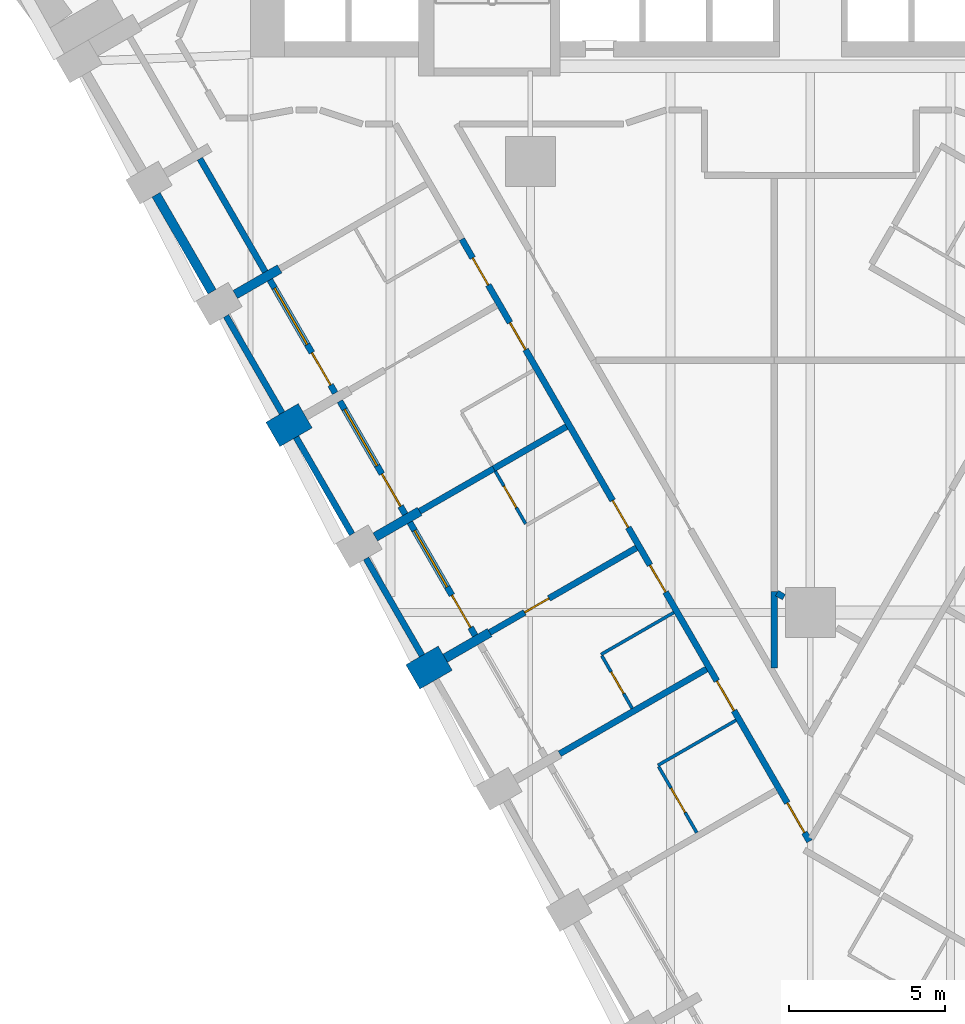
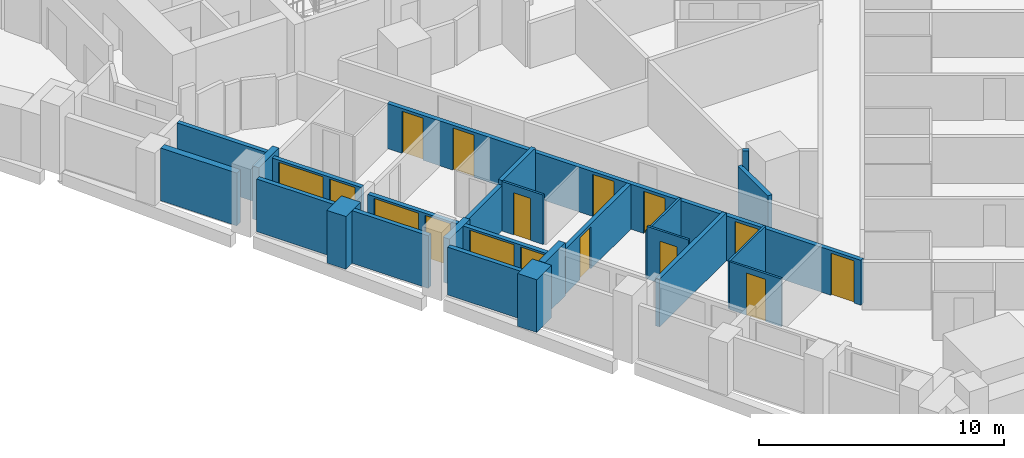
# One storey, part 3 of 12: 25 walls, 13 doors, 3 windows, 16 openings.
"""IFC4 building model written with IfcOpenShell, lengths in metres."""

from ifc_helpers import new_model, si_unit, direction, frame, frame_2d, origin, place, context, subcontext, project, spatial, rectangle, extrude, material, layer, layer_set, type_object, element, fill, save


model = new_model("IFC4")

# Units and contexts
model_context = context("Model", 3, precision=1e-05, world=origin(), true_north=direction((0.0, 1.0)))
body_context = subcontext(model_context, "Body", "Model", "MODEL_VIEW")
ifc_project = project(units=[si_unit("LENGTHUNIT", "METRE"), si_unit("AREAUNIT", "SQUARE_METRE"), si_unit("VOLUMEUNIT", "CUBIC_METRE"), si_unit("PLANEANGLEUNIT", "RADIAN"), si_unit("MASSUNIT", "GRAM", prefix="KILO")], contexts=[model_context])

# Site, building, storey
site_placement = place(None, origin())
site = spatial("IfcSite", under=ifc_project, at=site_placement, CompositionType="ELEMENT")
building_placement = place(site_placement, origin())
building = spatial("IfcBuilding", under=site, at=building_placement, Name="Calabash Gate Tower", CompositionType="ELEMENT")
storey_placement = place(building_placement, frame((0.0, 0.0, 76.60009765625)))
storey = spatial("IfcBuildingStorey", under=building, at=storey_placement, Name="L15", CompositionType="ELEMENT", Elevation=76.60009765625)

# Walls
ifc_material_1 = material(Name="Terracotta brick masonry, exposed face", Category="masonry")
ifc_layer_1 = layer(ifc_material_1, 1.199951171875)
ifc_layer_set_1 = layer_set([ifc_layer_1], Name="Brick end wall 1200")
wall_type_1 = type_object("IfcWallType", Name="Brick end wall 1200", PredefinedType="SOLIDWALL", material=ifc_layer_set_1)
wall_1_placement = place(storey_placement, frame((-17.27880859375, -6.277099609375, 0.0), z_axis=(0.0, 0.0, 1.0), x_axis=(0.866094119867, 0.499880961361, 0.0)))
element("IfcWall", 1, at=wall_1_placement, inside=storey, type_object=wall_type_1, Name="Brick pier S04 SW0.3", PredefinedType="SOLIDWALL", context=body_context, shape_type="SweptSolid", body=[
    extrude(rectangle(XDim=1.199951171875, YDim=0.89990234375, at=frame_2d((0.60009765625, 0.0))), origin(), (0.0, 0.0, 1.0), 2.6298828125),
])
wall_2_placement = place(storey_placement, frame((-12.77880859375, -14.071533203125, 0.0), z_axis=(0.0, 0.0, 1.0), x_axis=(0.866006032174, 0.500033551112, 0.0)))
element("IfcWall", 2, at=wall_2_placement, inside=storey, type_object=wall_type_1, Name="Brick pier S04 SW0.5", PredefinedType="SOLIDWALL", context=body_context, shape_type="SweptSolid", body=[
    extrude(rectangle(XDim=1.2001953125, YDim=0.89990234375, at=frame_2d((0.60009765625, 0.0))), origin(), (0.0, 0.0, 1.0), 2.6298828125),
])
ifc_material_2 = material(Name="Terracotta brick masonry, exposed face", Category="masonry")
ifc_layer_2 = layer(ifc_material_2, 0.300048828125)
ifc_layer_set_2 = layer_set([ifc_layer_2], Name="Brick infill panel wall 300")
wall_type_2 = type_object("IfcWallType", Name="Brick infill panel wall 300", PredefinedType="SOLIDWALL", material=ifc_layer_set_2)
wall_3_placement = place(storey_placement, frame((-21.0341796875, 1.42724609375, 0.0), z_axis=(0.0, 0.0, 1.0), x_axis=(0.500012057535, -0.866018442252, 0.0)))
element("IfcWall", 3, at=wall_3_placement, inside=storey, type_object=wall_type_2, Name="Brick panel S04 SW0.2", PredefinedType="SOLIDWALL", context=body_context, shape_type="SweptSolid", body=[
    extrude(rectangle(XDim=3.60009765625, YDim=0.300048828125, at=frame_2d((1.800048828125, 0.0))), origin(), (0.0, 0.0, 1.0), 2.6298828125),
])
ifc_material_3 = material(Name="Terracotta brick masonry, exposed face", Category="masonry")
ifc_layer_3 = layer(ifc_material_3, 0.300048828125)
ifc_layer_set_3 = layer_set([ifc_layer_3], Name="Brick loggia cheek wall 300")
wall_type_3 = type_object("IfcWallType", Name="Brick loggia cheek wall 300", PredefinedType="SOLIDWALL", material=ifc_layer_set_3)
wall_4_placement = place(storey_placement, frame((-18.489501953125, -1.780029296875, 0.0), z_axis=(0.0, 0.0, 1.0), x_axis=(0.866040211805, 0.499974350878, 0.0)))
element("IfcWall", 4, at=wall_4_placement, inside=storey, type_object=wall_type_3, Name="Loggia cheek S04 SW0.2", PredefinedType="SOLIDWALL", context=body_context, shape_type="SweptSolid", body=[
    extrude(rectangle(XDim=1.64990234375, YDim=0.300048828125, at=frame_2d((0.824951171875, 0.0))), origin(), (0.0, 0.0, 1.0), 2.64990234375),
])
wall_5_placement = place(storey_placement, frame((-12.560546875, -8.749267578125, 0.0), z_axis=(0.0, 0.0, 1.0), x_axis=(-0.866003217194, -0.500038426333, 0.0)))
element("IfcWall", 5, at=wall_5_placement, inside=storey, type_object=wall_type_3, Name="Loggia cheek S04 SW0.4", PredefinedType="SOLIDWALL", context=body_context, shape_type="SweptSolid", body=[
    extrude(rectangle(XDim=1.649658203125, YDim=0.300048828125, at=frame_2d((0.82470703125, 0.0))), origin(), (0.0, 0.0, 1.0), 2.24169921875),
])
wall_6_placement = place(storey_placement, frame((-11.739501953125, -13.471435546875, 0.0), z_axis=(0.0, 0.0, 1.0), x_axis=(0.866040211805, 0.499974350878, 0.0)))
element("IfcWall", 6, at=wall_6_placement, inside=storey, type_object=wall_type_3, Name="Loggia cheek S04 SW0.5", PredefinedType="SOLIDWALL", context=body_context, shape_type="SweptSolid", body=[
    extrude(rectangle(XDim=1.64990234375, YDim=0.300048828125, at=frame_2d((0.824951171875, 0.0))), origin(), (0.0, 0.0, 1.0), 2.64990234375),
])

# Wall, opening, door
ifc_material_4 = material(Name="Gypsum board on steel studs, mineral wool", Category="steel")
ifc_layer_4 = layer(ifc_material_4, 0.10009765625)
ifc_layer_set_4 = layer_set([ifc_layer_4], Name="Partition 100 gypsum board")
wall_type_4 = type_object("IfcWallType", Name="Partition 100 gypsum board", PredefinedType="PARTITIONING", material=ifc_layer_set_4)
wall_7_placement = place(storey_placement, frame((-4.877197265625, -16.957275390625, 0.0), z_axis=(0.0, 0.0, 1.0), x_axis=(0.500018594424, -0.866014668023, 0.0)))
wall_7 = element("IfcWall", 7, at=wall_7_placement, inside=storey, type_object=wall_type_4, Name="Partition", PredefinedType="PARTITIONING", context=body_context, shape_type="SweptSolid", body=[
    extrude(rectangle(XDim=2.4501953125, YDim=0.10009765625, at=frame_2d((1.22509765625, 0.0))), origin(), (0.0, 0.0, 1.0), 2.384033203125),
])
opening_1_placement = place(wall_7_placement, frame((0.800048828125, 0.0, 0.0)))
opening_1 = element("IfcOpeningElement", 8, at=opening_1_placement, cuts=wall_7, Name="Opening 15-17-012", PredefinedType="OPENING", context=body_context, shape_type="SweptSolid", body=[
    extrude(rectangle(XDim=0.89990234375, YDim=2.10009765625, at=frame_2d((0.449951171875, 1.050048828125))), frame((0.0, 0.06005859375, 0.0), z_axis=(0.0, -1.0, 0.0), x_axis=(1.0, 0.0, 0.0)), (0.0, 0.0, 1.0), 0.1201171875),
])
ifc_material_5 = material(Name="Painted timber door", Category="wood")
door_type_1 = type_object("IfcDoorType", Name="GD6 Accessible en-suite door 900x2100", OperationType="NOTDEFINED", PredefinedType="DOOR", material=ifc_material_5)
door_1_placement = place(opening_1_placement, origin())
door_1 = element("IfcDoor", 9, at=door_1_placement, inside=storey, type_object=door_type_1, Name="Accessible en-suite door", OperationType="SINGLE_SWING_LEFT", OverallHeight=2.10009765625, OverallWidth=0.89990234375, PredefinedType="DOOR", context=body_context, shape_type="SweptSolid", body=[
    extrude(rectangle(XDim=0.89990234375, YDim=2.10009765625, at=frame_2d((0.449951171875, 1.050048828125))), frame((0.0, 0.02490234375, 0.0), z_axis=(0.0, -1.0, 0.0), x_axis=(1.0, 0.0, 0.0)), (0.0, 0.0, 1.0), 0.050048828125),
])
fill(opening_1, door_1)

# Wall
wall_8_placement = place(storey_placement, frame((-4.902099609375, -16.9140625, 0.0), z_axis=(0.0, 0.0, 1.0), x_axis=(0.866293497561, 0.499535360193, 0.0)))
element("IfcWall", 10, at=wall_8_placement, inside=storey, type_object=wall_type_4, Name="Partition", PredefinedType="PARTITIONING", context=body_context, shape_type="SweptSolid", body=[
    extrude(rectangle(XDim=2.899658203125, YDim=0.10009765625, at=frame_2d((1.44970703125, 0.0))), origin(), (0.0, 0.0, 1.0), 2.384033203125),
])

# Wall, opening, door
wall_9_placement = place(storey_placement, frame((-6.7041015625, -13.393310546875, 0.0), z_axis=(0.0, 0.0, 1.0), x_axis=(0.500098182527, -0.865968710655, 0.0)))
wall_9 = element("IfcWall", 11, at=wall_9_placement, inside=storey, type_object=wall_type_4, Name="Partition", PredefinedType="PARTITIONING", context=body_context, shape_type="SweptSolid", body=[
    extrude(rectangle(XDim=1.94970703125, YDim=0.10009765625, at=frame_2d((0.974853515625, 0.0))), origin(), (0.0, 0.0, 1.0), 2.6279296875),
])
opening_2_placement = place(wall_9_placement, frame((0.60009765625, 0.0, 0.0)))
opening_2 = element("IfcOpeningElement", 12, at=opening_2_placement, cuts=wall_9, Name="Opening 15-17-009", PredefinedType="OPENING", context=body_context, shape_type="SweptSolid", body=[
    extrude(rectangle(XDim=0.800048828125, YDim=2.10009765625, at=frame_2d((0.39990234375, 1.050048828125))), frame((0.0, 0.06005859375, 0.0), z_axis=(0.0, -1.0, 0.0), x_axis=(1.0, 0.0, 0.0)), (0.0, 0.0, 1.0), 0.1201171875),
])
ifc_material_6 = material(Name="Painted timber door", Category="wood")
door_type_2 = type_object("IfcDoorType", Name="GD5 En-suite door 800x2100", OperationType="NOTDEFINED", PredefinedType="DOOR", material=ifc_material_6)
door_2_placement = place(opening_2_placement, origin())
door_2 = element("IfcDoor", 13, at=door_2_placement, inside=storey, type_object=door_type_2, Name="En-suite door", OperationType="SINGLE_SWING_RIGHT", OverallHeight=2.10009765625, OverallWidth=0.800048828125, PredefinedType="DOOR", context=body_context, shape_type="SweptSolid", body=[
    extrude(rectangle(XDim=0.800048828125, YDim=2.10009765625, at=frame_2d((0.39990234375, 1.050048828125))), frame((0.0, 0.02490234375, 0.0), z_axis=(0.0, -1.0, 0.0), x_axis=(1.0, 0.0, 0.0)), (0.0, 0.0, 1.0), 0.050048828125),
])
fill(opening_2, door_2)

# Wall
wall_10_placement = place(storey_placement, frame((-6.72900390625, -13.349853515625, 0.0), z_axis=(0.0, 0.0, 1.0), x_axis=(0.866339109022, 0.499456252518, 0.0)))
element("IfcWall", 14, at=wall_10_placement, inside=storey, type_object=wall_type_4, Name="Partition", PredefinedType="PARTITIONING", context=body_context, shape_type="SweptSolid", body=[
    extrude(rectangle(XDim=2.69970703125, YDim=0.10009765625, at=frame_2d((1.349853515625, 0.0))), origin(), (0.0, 0.0, 1.0), 2.384033203125),
])

# Wall, opening, door
wall_11_placement = place(storey_placement, frame((-10.12744140625, -7.460205078125, 0.0), z_axis=(0.0, 0.0, 1.0), x_axis=(0.499223742716, -0.866473112514, 0.0)))
wall_11 = element("IfcWall", 15, at=wall_11_placement, inside=storey, type_object=wall_type_4, Name="Partition", PredefinedType="PARTITIONING", context=body_context, shape_type="SweptSolid", body=[
    extrude(rectangle(XDim=1.94970703125, YDim=0.10009765625, at=frame_2d((0.974853515625, 0.0))), origin(), (0.0, 0.0, 1.0), 2.473388671875),
])
opening_3_placement = place(wall_11_placement, frame((0.5498046875, 0.0, 0.0)))
opening_3 = element("IfcOpeningElement", 16, at=opening_3_placement, cuts=wall_11, Name="Opening 15-17-007", PredefinedType="OPENING", context=body_context, shape_type="SweptSolid", body=[
    extrude(rectangle(XDim=0.800048828125, YDim=2.10009765625, at=frame_2d((0.39990234375, 1.050048828125))), frame((0.0, 0.06005859375, 0.0), z_axis=(0.0, -1.0, 0.0), x_axis=(1.0, 0.0, 0.0)), (0.0, 0.0, 1.0), 0.1201171875),
])
door_3_placement = place(opening_3_placement, origin())
door_3 = element("IfcDoor", 17, at=door_3_placement, inside=storey, type_object=door_type_2, Name="En-suite door", OperationType="SINGLE_SWING_LEFT", OverallHeight=2.10009765625, OverallWidth=0.800048828125, PredefinedType="DOOR", context=body_context, shape_type="SweptSolid", body=[
    extrude(rectangle(XDim=0.800048828125, YDim=2.10009765625, at=frame_2d((0.39990234375, 1.050048828125))), frame((0.0, 0.02490234375, 0.0), z_axis=(0.0, -1.0, 0.0), x_axis=(1.0, 0.0, 0.0)), (0.0, 0.0, 1.0), 0.050048828125),
])
fill(opening_3, door_3)

# Wall, openings, doors
ifc_material_7 = material(Name="Gypsum board on steel studs, mineral wool", Category="steel")
ifc_layer_5 = layer(ifc_material_7, 0.199951171875)
ifc_layer_set_5 = layer_set([ifc_layer_5], Name="Partition 200 gypsum board EI 60")
wall_type_5 = type_object("IfcWallType", Name="Partition 200 gypsum board EI 60", PredefinedType="PARTITIONING", material=ifc_layer_set_5)
wall_12_placement = place(storey_placement, frame((-11.205810546875, 0.0, 0.0), z_axis=(0.0, 0.0, 1.0), x_axis=(0.500002959525, -0.866023695095, 0.0)))
wall_12 = element("IfcWall", 18, at=wall_12_placement, inside=storey, type_object=wall_type_5, Name="Partition", PredefinedType="PARTITIONING", context=body_context, shape_type="SweptSolid", body=[
    extrude(rectangle(XDim=22.350830078125, YDim=0.199951171875, at=frame_2d((11.17529296875, 0.0))), origin(), (0.0, 0.0, 1.0), 2.24169921875),
])
opening_4_placement = place(wall_12_placement, frame((0.69970703125, 0.0, 0.0)))
opening_4 = element("IfcOpeningElement", 19, at=opening_4_placement, cuts=wall_12, Name="Opening 15-17-001", PredefinedType="OPENING", context=body_context, shape_type="SweptSolid", body=[
    extrude(rectangle(XDim=1.0, YDim=2.10009765625, at=frame_2d((0.5, 1.050048828125))), frame((0.0, 0.10986328125, 0.0), z_axis=(0.0, -1.0, 0.0), x_axis=(1.0, 0.0, 0.0)), (0.0, 0.0, 1.0), 0.219970703125),
])
opening_5_placement = place(wall_12_placement, frame((3.099609375, 0.0, 0.0)))
opening_5 = element("IfcOpeningElement", 20, at=opening_5_placement, cuts=wall_12, Name="Opening 15-17-003", PredefinedType="OPENING", context=body_context, shape_type="SweptSolid", body=[
    extrude(rectangle(XDim=1.0, YDim=2.10009765625, at=frame_2d((0.5, 1.050048828125))), frame((0.0, 0.10986328125, 0.0), z_axis=(0.0, -1.0, 0.0), x_axis=(1.0, 0.0, 0.0)), (0.0, 0.0, 1.0), 0.219970703125),
])
opening_6_placement = place(wall_12_placement, frame((9.69970703125, 0.0, 0.0)))
opening_6 = element("IfcOpeningElement", 21, at=opening_6_placement, cuts=wall_12, Name="Opening 15-17-006", PredefinedType="OPENING", context=body_context, shape_type="SweptSolid", body=[
    extrude(rectangle(XDim=1.0, YDim=2.10009765625, at=frame_2d((0.5, 1.050048828125))), frame((0.0, 0.10986328125, 0.0), z_axis=(0.0, -1.0, 0.0), x_axis=(1.0, 0.0, 0.0)), (0.0, 0.0, 1.0), 0.219970703125),
])
opening_7_placement = place(wall_12_placement, frame((12.099609375, 0.0, 0.0)))
opening_7 = element("IfcOpeningElement", 22, at=opening_7_placement, cuts=wall_12, Name="Opening 15-17-008", PredefinedType="OPENING", context=body_context, shape_type="SweptSolid", body=[
    extrude(rectangle(XDim=1.0, YDim=2.10009765625, at=frame_2d((0.5, 1.050048828125))), frame((0.0, 0.10986328125, 0.0), z_axis=(0.0, -1.0, 0.0), x_axis=(1.0, 0.0, 0.0)), (0.0, 0.0, 1.0), 0.219970703125),
])
opening_8_placement = place(wall_12_placement, frame((16.399658203125, 0.0, 0.0)))
opening_8 = element("IfcOpeningElement", 23, at=opening_8_placement, cuts=wall_12, Name="Opening 15-17-011", PredefinedType="OPENING", context=body_context, shape_type="SweptSolid", body=[
    extrude(rectangle(XDim=1.10009765625, YDim=2.10009765625, at=frame_2d((0.550048828125, 1.050048828125))), frame((0.0, 0.10986328125, 0.0), z_axis=(0.0, -1.0, 0.0), x_axis=(1.0, 0.0, 0.0)), (0.0, 0.0, 1.0), 0.219970703125),
])
opening_9_placement = place(wall_12_placement, frame((20.92529296875, 0.0, 0.0)))
opening_9 = element("IfcOpeningElement", 24, at=opening_9_placement, cuts=wall_12, Name="Opening 15-17-041", PredefinedType="OPENING", context=body_context, shape_type="SweptSolid", body=[
    extrude(rectangle(XDim=1.10009765625, YDim=2.10009765625, at=frame_2d((0.550048828125, 1.050048828125))), frame((0.0, 0.10986328125, 0.0), z_axis=(0.0, -1.0, 0.0), x_axis=(1.0, 0.0, 0.0)), (0.0, 0.0, 1.0), 0.219970703125),
])
ifc_material_8 = material(Name="Steel fire door set with fire-resisting glazing", Category="steel")
door_type_3 = type_object("IfcDoorType", Name="GD1 Guest room entrance door 1000x2100", OperationType="NOTDEFINED", PredefinedType="DOOR", material=ifc_material_8)
door_4_placement = place(opening_4_placement, origin())
door_4 = element("IfcDoor", 25, at=door_4_placement, inside=storey, type_object=door_type_3, Name="Guest room entrance door", OperationType="SINGLE_SWING_LEFT", OverallHeight=2.10009765625, OverallWidth=1.0, PredefinedType="DOOR", context=body_context, shape_type="SweptSolid", body=[
    extrude(rectangle(XDim=1.0, YDim=2.10009765625, at=frame_2d((0.5, 1.050048828125))), frame((0.0, 0.02490234375, 0.0), z_axis=(0.0, -1.0, 0.0), x_axis=(1.0, 0.0, 0.0)), (0.0, 0.0, 1.0), 0.050048828125),
])
fill(opening_4, door_4)
door_5_placement = place(opening_5_placement, origin())
door_5 = element("IfcDoor", 26, at=door_5_placement, inside=storey, type_object=door_type_3, Name="Guest room entrance door", OperationType="SINGLE_SWING_RIGHT", OverallHeight=2.10009765625, OverallWidth=1.0, PredefinedType="DOOR", context=body_context, shape_type="SweptSolid", body=[
    extrude(rectangle(XDim=1.0, YDim=2.10009765625, at=frame_2d((0.5, 1.050048828125))), frame((0.0, 0.02490234375, 0.0), z_axis=(0.0, -1.0, 0.0), x_axis=(1.0, 0.0, 0.0)), (0.0, 0.0, 1.0), 0.050048828125),
])
fill(opening_5, door_5)
door_6_placement = place(opening_6_placement, origin())
door_6 = element("IfcDoor", 27, at=door_6_placement, inside=storey, type_object=door_type_3, Name="Guest room entrance door", OperationType="SINGLE_SWING_LEFT", OverallHeight=2.10009765625, OverallWidth=1.0, PredefinedType="DOOR", context=body_context, shape_type="SweptSolid", body=[
    extrude(rectangle(XDim=1.0, YDim=2.10009765625, at=frame_2d((0.5, 1.050048828125))), frame((0.0, 0.02490234375, 0.0), z_axis=(0.0, -1.0, 0.0), x_axis=(1.0, 0.0, 0.0)), (0.0, 0.0, 1.0), 0.050048828125),
])
fill(opening_6, door_6)
door_7_placement = place(opening_7_placement, origin())
door_7 = element("IfcDoor", 28, at=door_7_placement, inside=storey, type_object=door_type_3, Name="Guest room entrance door", OperationType="SINGLE_SWING_RIGHT", OverallHeight=2.10009765625, OverallWidth=1.0, PredefinedType="DOOR", context=body_context, shape_type="SweptSolid", body=[
    extrude(rectangle(XDim=1.0, YDim=2.10009765625, at=frame_2d((0.5, 1.050048828125))), frame((0.0, 0.02490234375, 0.0), z_axis=(0.0, -1.0, 0.0), x_axis=(1.0, 0.0, 0.0)), (0.0, 0.0, 1.0), 0.050048828125),
])
fill(opening_7, door_7)
ifc_material_9 = material(Name="Steel fire door set with fire-resisting glazing", Category="steel")
door_type_4 = type_object("IfcDoorType", Name="GD2 Accessible guest room entrance door 1100x2100", OperationType="NOTDEFINED", PredefinedType="DOOR", material=ifc_material_9)
door_8_placement = place(opening_8_placement, origin())
door_8 = element("IfcDoor", 29, at=door_8_placement, inside=storey, type_object=door_type_4, Name="Accessible guest room entrance door", OperationType="SINGLE_SWING_RIGHT", OverallHeight=2.10009765625, OverallWidth=1.10009765625, PredefinedType="DOOR", context=body_context, shape_type="SweptSolid", body=[
    extrude(rectangle(XDim=1.10009765625, YDim=2.10009765625, at=frame_2d((0.550048828125, 1.050048828125))), frame((0.0, 0.02490234375, 0.0), z_axis=(0.0, -1.0, 0.0), x_axis=(1.0, 0.0, 0.0)), (0.0, 0.0, 1.0), 0.050048828125),
])
fill(opening_8, door_8)
ifc_material_10 = material(Name="Steel fire door set with fire-resisting glazing", Category="steel")
door_type_5 = type_object("IfcDoorType", Name="GD3 Suite entrance door 1100x2100", OperationType="NOTDEFINED", PredefinedType="DOOR", material=ifc_material_10)
door_9_placement = place(opening_9_placement, origin())
door_9 = element("IfcDoor", 30, at=door_9_placement, inside=storey, type_object=door_type_5, Name="Suite entrance door", OperationType="SINGLE_SWING_LEFT", OverallHeight=2.10009765625, OverallWidth=1.10009765625, PredefinedType="DOOR", context=body_context, shape_type="SweptSolid", body=[
    extrude(rectangle(XDim=1.10009765625, YDim=2.10009765625, at=frame_2d((0.550048828125, 1.050048828125))), frame((0.0, 0.02490234375, 0.0), z_axis=(0.0, -1.0, 0.0), x_axis=(1.0, 0.0, 0.0)), (0.0, 0.0, 1.0), 0.050048828125),
])
fill(opening_9, door_9)

# Walls
wall_13_placement = place(storey_placement, frame((-8.060546875, -16.543701171875, 0.0), z_axis=(0.0, 0.0, 1.0), x_axis=(0.866193043817, 0.499709526468, 0.0)))
element("IfcWall", 31, at=wall_13_placement, inside=storey, type_object=wall_type_5, Name="Partition", PredefinedType="PARTITIONING", context=body_context, shape_type="SweptSolid", body=[
    extrude(rectangle(XDim=5.449951171875, YDim=0.199951171875, at=frame_2d((2.72509765625, 0.0))), origin(), (0.0, 0.0, 1.0), 2.384033203125),
])
wall_14_placement = place(storey_placement, frame((-1.0751953125, -11.377685546875, 0.0), z_axis=(0.0, 0.0, 1.0), x_axis=(0.863710940107, -0.50398751169, 0.0)))
element("IfcWall", 32, at=wall_14_placement, inside=storey, type_object=wall_type_5, Name="Partition", PredefinedType="PARTITIONING", context=body_context, shape_type="SweptSolid", body=[
    extrude(rectangle(XDim=0.260498046875, YDim=0.199951171875, at=frame_2d((0.13037109375, 0.0))), origin(), (0.0, 0.0, 1.0), 3.22998046875),
])
wall_15_placement = place(storey_placement, frame((-1.1630859375, -13.78955078125, 0.0), z_axis=(0.0, 0.0, 1.0), x_axis=(0.000595415197, 0.99999982274, 0.0)))
element("IfcWall", 33, at=wall_15_placement, inside=storey, type_object=wall_type_5, Name="Partition", PredefinedType="PARTITIONING", context=body_context, shape_type="SweptSolid", body=[
    extrude(rectangle(XDim=2.460205078125, YDim=0.199951171875, at=frame_2d((1.22998046875, 0.0))), origin(), (0.0, 0.0, 1.0), 2.449951171875),
])

# Wall, opening, door
wall_16_placement = place(storey_placement, frame((-10.310546875, -12.646484375, 0.0), z_axis=(0.0, 0.0, 1.0), x_axis=(0.866193043817, 0.499709526468, 0.0)))
wall_16 = element("IfcWall", 34, at=wall_16_placement, inside=storey, type_object=wall_type_5, Name="Partition", PredefinedType="PARTITIONING", context=body_context, shape_type="SweptSolid", body=[
    extrude(rectangle(XDim=5.449951171875, YDim=0.199951171875, at=frame_2d((2.72509765625, 0.0))), origin(), (0.0, 0.0, 1.0), 2.24169921875),
])
opening_10_placement = place(wall_16_placement, frame((1.300048828125, 0.0, 0.0)))
opening_10 = element("IfcOpeningElement", 35, at=opening_10_placement, cuts=wall_16, Name="Opening 15-17-010", PredefinedType="OPENING", context=body_context, shape_type="SweptSolid", body=[
    extrude(rectangle(XDim=0.89990234375, YDim=2.10009765625, at=frame_2d((0.449951171875, 1.050048828125))), frame((0.0, 0.10986328125, 0.0), z_axis=(0.0, -1.0, 0.0), x_axis=(1.0, 0.0, 0.0)), (0.0, 0.0, 1.0), 0.219970703125),
])
ifc_material_11 = material(Name="Steel fire door set with fire-resisting glazing", Category="steel")
door_type_6 = type_object("IfcDoorType", Name="GD4 Connecting door 900x2100", OperationType="NOTDEFINED", PredefinedType="DOOR", material=ifc_material_11)
door_10_placement = place(opening_10_placement, origin())
door_10 = element("IfcDoor", 36, at=door_10_placement, inside=storey, type_object=door_type_6, Name="Connecting door", OperationType="SINGLE_SWING_RIGHT", OverallHeight=2.10009765625, OverallWidth=0.89990234375, PredefinedType="DOOR", context=body_context, shape_type="SweptSolid", body=[
    extrude(rectangle(XDim=0.89990234375, YDim=2.10009765625, at=frame_2d((0.449951171875, 1.050048828125))), frame((0.0, 0.02490234375, 0.0), z_axis=(0.0, -1.0, 0.0), x_axis=(1.0, 0.0, 0.0)), (0.0, 0.0, 1.0), 0.050048828125),
])
fill(opening_10, door_10)

# Walls
wall_17_placement = place(storey_placement, frame((-12.560546875, -8.74951171875, 0.0), z_axis=(0.0, 0.0, 1.0), x_axis=(0.866362904174, 0.499414976018, 0.0)))
element("IfcWall", 37, at=wall_17_placement, inside=storey, type_object=wall_type_5, Name="Partition", PredefinedType="PARTITIONING", context=body_context, shape_type="SweptSolid", body=[
    extrude(rectangle(XDim=2.749755859375, YDim=0.199951171875, at=frame_2d((1.375, 0.0))), origin(), (0.0, 0.0, 1.0), 2.24169921875),
])
wall_18_placement = place(storey_placement, frame((-10.177978515625, -7.3759765625, 0.0), z_axis=(0.0, 0.0, 1.0), x_axis=(0.866036505625, 0.499980770555, 0.0)))
element("IfcWall", 38, at=wall_18_placement, inside=storey, type_object=wall_type_5, Name="Partition", PredefinedType="PARTITIONING", context=body_context, shape_type="SweptSolid", body=[
    extrude(rectangle(XDim=2.69970703125, YDim=0.199951171875, at=frame_2d((1.349853515625, 0.0))), origin(), (0.0, 0.0, 1.0), 2.473388671875),
])
ifc_material_12 = material(Name="Terracotta brick masonry, perforated", Category="masonry")
ifc_layer_6 = layer(ifc_material_12, 0.199951171875)
ifc_layer_set_6 = layer_set([ifc_layer_6], Name="Terracotta jaali screen B")
wall_type_6 = type_object("IfcWallType", Name="Terracotta jaali screen B", PredefinedType="SOLIDWALL", material=ifc_layer_set_6)
for number, where, z_axis, x_axis, name in (
    (39, (-18.7841796875, -2.4697265625, 0.0), (0.0, 0.0, 1.0), (0.500012057535, -0.866018442252, 0.0), "SCREEN B S04 SW0.3"),
    (40, (-16.5341796875, -6.366943359375, 0.0), (0.0, 0.0, 1.0), (0.500012057535, -0.866018442252, 0.0), "SCREEN B S04 SW0.4"),
):
    element("IfcWall", number, at=place(storey_placement, frame(where, z_axis=z_axis, x_axis=x_axis)), inside=storey, type_object=wall_type_6, Name=name, PredefinedType="SOLIDWALL", context=body_context, shape_type="SweptSolid", body=[
        extrude(rectangle(XDim=3.60009765625, YDim=0.199951171875, at=frame_2d((1.800048828125, 0.0))), origin(), (0.0, 0.0, 1.0), 2.6298828125),
    ])
wall_19_placement = place(storey_placement, frame((-14.2841796875, -10.263916015625, 0.0), z_axis=(0.0, 0.0, 1.0), x_axis=(0.499982693035, -0.866035395735, 0.0)))
element("IfcWall", 41, at=wall_19_placement, inside=storey, type_object=wall_type_6, Name="SCREEN B S04 SW0.5", PredefinedType="SOLIDWALL", context=body_context, shape_type="SweptSolid", body=[
    extrude(rectangle(XDim=3.600341796875, YDim=0.199951171875, at=frame_2d((1.80029296875, 0.0))), origin(), (0.0, 0.0, 1.0), 2.384033203125),
])
ifc_material_13 = material(Name="Aluminium framed window wall with insulated spandrel", Category="aluminium")
ifc_layer_7 = layer(ifc_material_13, 0.199951171875)
ifc_layer_set_7 = layer_set([ifc_layer_7], Name="Window wall 200")
wall_type_7 = type_object("IfcWallType", Name="Window wall 200", PredefinedType="ELEMENTEDWALL", material=ifc_layer_set_7)
wall_20_placement = place(storey_placement, frame((-19.625244140625, 2.587158203125, 0.0), z_axis=(0.0, 0.0, 1.0), x_axis=(0.499958946799, -0.866049104564, 0.0)))
element("IfcWall", 42, at=wall_20_placement, inside=storey, type_object=wall_type_7, Name="Window wall S04 SW0.2", PredefinedType="ELEMENTEDWALL", context=body_context, shape_type="SweptSolid", body=[
    extrude(rectangle(XDim=4.199951171875, YDim=0.199951171875, at=frame_2d((2.10009765625, 0.0))), origin(), (0.0, 0.0, 1.0), 2.64990234375),
])

# Wall, openings, door, window
wall_21_placement = place(storey_placement, frame((-17.375244140625, -1.31005859375, 0.0), z_axis=(0.0, 0.0, 1.0), x_axis=(0.49998411664, -0.866034573852, 0.0)))
wall_21 = element("IfcWall", 43, at=wall_21_placement, inside=storey, type_object=wall_type_7, Name="Window wall S04 SW0.3", PredefinedType="ELEMENTEDWALL", context=body_context, shape_type="SweptSolid", body=[
    extrude(rectangle(XDim=4.199951171875, YDim=0.199951171875, at=frame_2d((2.10009765625, 0.0))), origin(), (0.0, 0.0, 1.0), 2.473388671875),
])
opening_11_placement = place(wall_21_placement, frame((0.300048828125, 0.0, 0.60009765625)))
opening_11 = element("IfcOpeningElement", 44, at=opening_11_placement, cuts=wall_21, Name="Opening HW1L-1770", PredefinedType="OPENING", context=body_context, shape_type="SweptSolid", body=[
    extrude(rectangle(XDim=2.10009765625, YDim=1.77001953125, at=frame_2d((1.050048828125, 0.885009765625))), frame((0.0, 0.10986328125, 0.0), z_axis=(0.0, -1.0, 0.0), x_axis=(1.0, 0.0, 0.0)), (0.0, 0.0, 1.0), 0.219970703125),
])
opening_12_placement = place(wall_21_placement, frame((2.699951171875, 0.0, 0.0)))
opening_12 = element("IfcOpeningElement", 45, at=opening_12_placement, cuts=wall_21, Name="Opening H4-026", PredefinedType="OPENING", context=body_context, shape_type="SweptSolid", body=[
    extrude(rectangle(XDim=1.199951171875, YDim=2.3701171875, at=frame_2d((0.60009765625, 1.18505859375))), frame((0.0, 0.10986328125, 0.0), z_axis=(0.0, -1.0, 0.0), x_axis=(1.0, 0.0, 0.0)), (0.0, 0.0, 1.0), 0.219970703125),
])
ifc_material_14 = material(Name="Anodised aluminium frame, bronze finish, impact-rated laminated clear glazing", Category="aluminium")
door_type_7 = type_object("IfcDoorType", Name="Loggia door DH1L-2370 1200x2370", OperationType="SLIDING_TO_LEFT", PredefinedType="DOOR", material=ifc_material_14)
door_11_placement = place(opening_12_placement, origin())
door_11 = element("IfcDoor", 46, at=door_11_placement, inside=storey, type_object=door_type_7, Name="Loggia door S04 SW0.3", OperationType="SINGLE_SWING_LEFT", OverallHeight=2.3701171875, OverallWidth=1.199951171875, PredefinedType="DOOR", context=body_context, shape_type="SweptSolid", body=[
    extrude(rectangle(XDim=1.199951171875, YDim=2.3701171875, at=frame_2d((0.60009765625, 1.18505859375))), frame((0.0, 0.02490234375, 0.0), z_axis=(0.0, -1.0, 0.0), x_axis=(1.0, 0.0, 0.0)), (0.0, 0.0, 1.0), 0.050048828125),
])
fill(opening_12, door_11)
ifc_material_15 = material(Name="Anodised aluminium frame, bronze finish, impact-rated laminated clear glazing", Category="aluminium")
window_type_1 = type_object("IfcWindowType", Name="Window HW1L 2100x1770", PartitioningType="DOUBLE_PANEL_VERTICAL", PredefinedType="WINDOW", material=ifc_material_15)
window_1_placement = place(opening_11_placement, origin())
window_1 = element("IfcWindow", 47, at=window_1_placement, inside=storey, type_object=window_type_1, Name="Window HW1 S04 SW0.3", OverallHeight=1.77001953125, OverallWidth=2.10009765625, PartitioningType="SINGLE_PANEL", PredefinedType="WINDOW", context=body_context, shape_type="SweptSolid", body=[
    extrude(rectangle(XDim=2.10009765625, YDim=1.77001953125, at=frame_2d((1.050048828125, 0.885009765625))), frame((0.0, 0.030029296875, 0.0), z_axis=(0.0, -1.0, 0.0), x_axis=(1.0, 0.0, 0.0)), (0.0, 0.0, 1.0), 0.06005859375),
])
fill(opening_11, window_1)

wall_22_placement = place(storey_placement, frame((-15.125244140625, -5.20703125, 0.0), z_axis=(0.0, 0.0, 1.0), x_axis=(0.499958946799, -0.866049104564, 0.0)))
wall_22 = element("IfcWall", 48, at=wall_22_placement, inside=storey, type_object=wall_type_7, Name="Window wall S04 SW0.4", PredefinedType="ELEMENTEDWALL", context=body_context, shape_type="SweptSolid", body=[
    extrude(rectangle(XDim=4.199951171875, YDim=0.199951171875, at=frame_2d((2.10009765625, 0.0))), origin(), (0.0, 0.0, 1.0), 2.24169921875),
])
opening_13_placement = place(wall_22_placement, frame((0.300048828125, 0.0, 0.60009765625)))
opening_13 = element("IfcOpeningElement", 49, at=opening_13_placement, cuts=wall_22, Name="Opening HW1L-1540", PredefinedType="OPENING", context=body_context, shape_type="SweptSolid", body=[
    extrude(rectangle(XDim=2.10009765625, YDim=1.5400390625, at=frame_2d((1.050048828125, 0.77001953125))), frame((0.0, 0.10986328125, 0.0), z_axis=(0.0, -1.0, 0.0), x_axis=(1.0, 0.0, 0.0)), (0.0, 0.0, 1.0), 0.219970703125),
])
opening_14_placement = place(wall_22_placement, frame((2.699951171875, 0.0, 0.0)))
opening_14 = element("IfcOpeningElement", 50, at=opening_14_placement, cuts=wall_22, Name="Opening H4-027", PredefinedType="OPENING", context=body_context, shape_type="SweptSolid", body=[
    extrude(rectangle(XDim=1.199951171875, YDim=2.139892578125, at=frame_2d((0.60009765625, 1.06982421875))), frame((0.0, 0.10986328125, 0.0), z_axis=(0.0, -1.0, 0.0), x_axis=(1.0, 0.0, 0.0)), (0.0, 0.0, 1.0), 0.219970703125),
])
ifc_material_16 = material(Name="Anodised aluminium frame, bronze finish, impact-rated laminated clear glazing", Category="aluminium")
door_type_8 = type_object("IfcDoorType", Name="Loggia door DH1L-2140 1200x2140", OperationType="SLIDING_TO_LEFT", PredefinedType="DOOR", material=ifc_material_16)
door_12_placement = place(opening_14_placement, origin())
door_12 = element("IfcDoor", 51, at=door_12_placement, inside=storey, type_object=door_type_8, Name="Loggia door S04 SW0.4", OperationType="SINGLE_SWING_LEFT", OverallHeight=2.139892578125, OverallWidth=1.199951171875, PredefinedType="DOOR", context=body_context, shape_type="SweptSolid", body=[
    extrude(rectangle(XDim=1.199951171875, YDim=2.139892578125, at=frame_2d((0.60009765625, 1.06982421875))), frame((0.0, 0.02490234375, 0.0), z_axis=(0.0, -1.0, 0.0), x_axis=(1.0, 0.0, 0.0)), (0.0, 0.0, 1.0), 0.050048828125),
])
fill(opening_14, door_12)
ifc_material_17 = material(Name="Anodised aluminium frame, bronze finish, impact-rated laminated clear glazing", Category="aluminium")
window_type_2 = type_object("IfcWindowType", Name="Window HW1L 2100x1540", PartitioningType="DOUBLE_PANEL_VERTICAL", PredefinedType="WINDOW", material=ifc_material_17)
window_2_placement = place(opening_13_placement, origin())
window_2 = element("IfcWindow", 52, at=window_2_placement, inside=storey, type_object=window_type_2, Name="Window HW1 S04 SW0.4", OverallHeight=1.5400390625, OverallWidth=2.10009765625, PartitioningType="SINGLE_PANEL", PredefinedType="WINDOW", context=body_context, shape_type="SweptSolid", body=[
    extrude(rectangle(XDim=2.10009765625, YDim=1.5400390625, at=frame_2d((1.050048828125, 0.77001953125))), frame((0.0, 0.030029296875, 0.0), z_axis=(0.0, -1.0, 0.0), x_axis=(1.0, 0.0, 0.0)), (0.0, 0.0, 1.0), 0.06005859375),
])
fill(opening_13, window_2)

wall_23_placement = place(storey_placement, frame((-12.875244140625, -9.104248046875, 0.0), z_axis=(0.0, 0.0, 1.0), x_axis=(0.49998411664, -0.866034573852, 0.0)))
wall_23 = element("IfcWall", 53, at=wall_23_placement, inside=storey, type_object=wall_type_7, Name="Window wall S04 SW0.5", PredefinedType="ELEMENTEDWALL", context=body_context, shape_type="SweptSolid", body=[
    extrude(rectangle(XDim=4.199951171875, YDim=0.199951171875, at=frame_2d((2.10009765625, 0.0))), origin(), (0.0, 0.0, 1.0), 2.24169921875),
])
opening_15_placement = place(wall_23_placement, frame((0.300048828125, 0.0, 0.60009765625)))
opening_15 = element("IfcOpeningElement", 54, at=opening_15_placement, cuts=wall_23, Name="Opening HW1L-1540", PredefinedType="OPENING", context=body_context, shape_type="SweptSolid", body=[
    extrude(rectangle(XDim=2.10009765625, YDim=1.5400390625, at=frame_2d((1.050048828125, 0.77001953125))), frame((0.0, 0.10986328125, 0.0), z_axis=(0.0, -1.0, 0.0), x_axis=(1.0, 0.0, 0.0)), (0.0, 0.0, 1.0), 0.219970703125),
])
opening_16_placement = place(wall_23_placement, frame((2.699951171875, 0.0, 0.0)))
opening_16 = element("IfcOpeningElement", 55, at=opening_16_placement, cuts=wall_23, Name="Opening H4-028", PredefinedType="OPENING", context=body_context, shape_type="SweptSolid", body=[
    extrude(rectangle(XDim=1.199951171875, YDim=2.139892578125, at=frame_2d((0.60009765625, 1.06982421875))), frame((0.0, 0.10986328125, 0.0), z_axis=(0.0, -1.0, 0.0), x_axis=(1.0, 0.0, 0.0)), (0.0, 0.0, 1.0), 0.219970703125),
])
door_13_placement = place(opening_16_placement, origin())
door_13 = element("IfcDoor", 56, at=door_13_placement, inside=storey, type_object=door_type_8, Name="Loggia door S04 SW0.5", OperationType="SINGLE_SWING_LEFT", OverallHeight=2.139892578125, OverallWidth=1.199951171875, PredefinedType="DOOR", context=body_context, shape_type="SweptSolid", body=[
    extrude(rectangle(XDim=1.199951171875, YDim=2.139892578125, at=frame_2d((0.60009765625, 1.06982421875))), frame((0.0, 0.02490234375, 0.0), z_axis=(0.0, -1.0, 0.0), x_axis=(1.0, 0.0, 0.0)), (0.0, 0.0, 1.0), 0.050048828125),
])
fill(opening_16, door_13)
window_3_placement = place(opening_15_placement, origin())
window_3 = element("IfcWindow", 57, at=window_3_placement, inside=storey, type_object=window_type_2, Name="Window HW1 S04 SW0.5", OverallHeight=1.5400390625, OverallWidth=2.10009765625, PartitioningType="SINGLE_PANEL", PredefinedType="WINDOW", context=body_context, shape_type="SweptSolid", body=[
    extrude(rectangle(XDim=2.10009765625, YDim=1.5400390625, at=frame_2d((1.050048828125, 0.77001953125))), frame((0.0, 0.030029296875, 0.0), z_axis=(0.0, -1.0, 0.0), x_axis=(1.0, 0.0, 0.0)), (0.0, 0.0, 1.0), 0.06005859375),
])
fill(opening_15, window_3)

save(model, "model.ifc")
